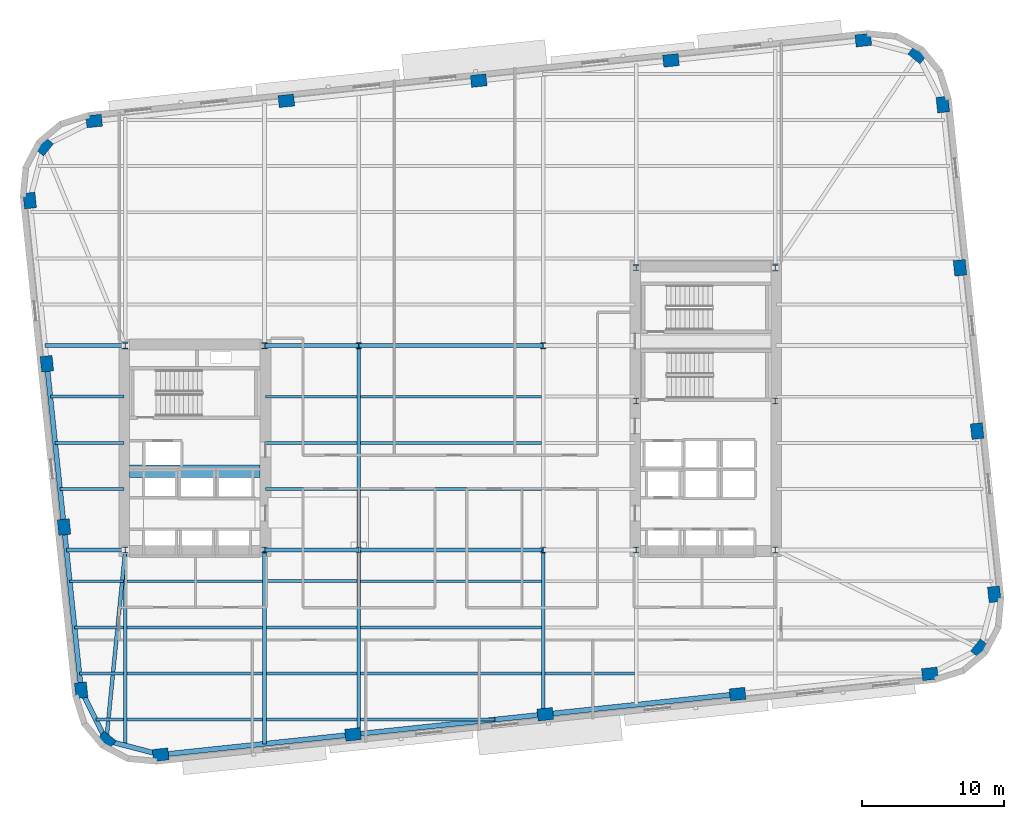
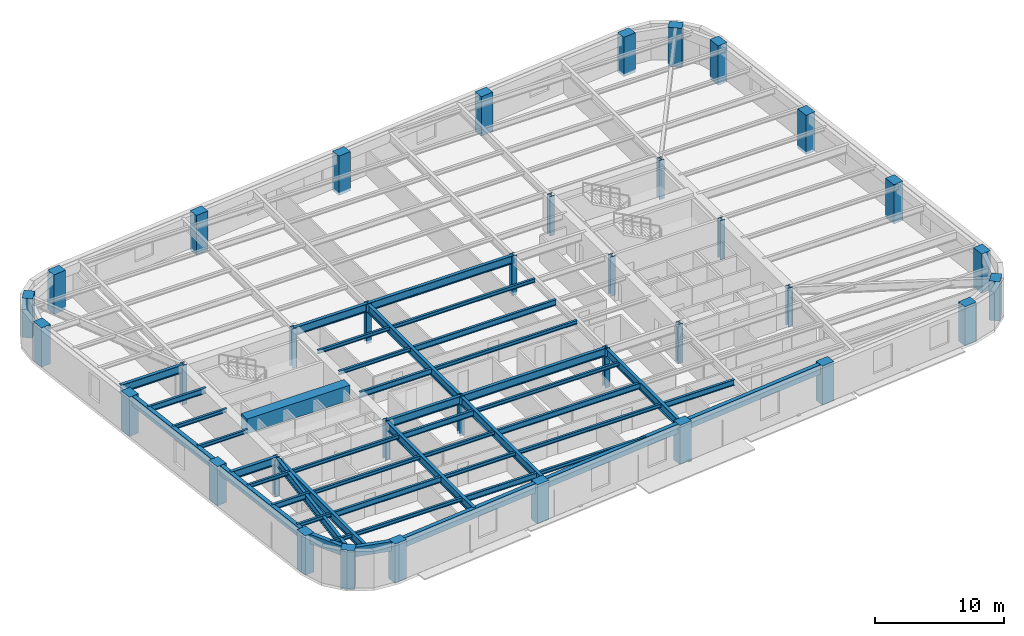
# One storey, part 1 of 11: 46 beams, 36 columns.
"""IFC4 building model written with IfcOpenShell, lengths in metres."""

from ifc_helpers import new_model, si_unit, direction, frame, origin, origin_2d, place, context, subcontext, project, spatial, rectangle, hollow_rectangle, i_section, extrude, material, material_profile, profile_set, type_object, element, save


model = new_model("IFC4")

# Units and contexts
model_context = context("Model", 3, precision=1e-05, world=origin(), true_north=direction((0.0, 1.0)))
body_context = subcontext(model_context, "Body", "Model", "MODEL_VIEW")
ifc_project = project(units=[si_unit("LENGTHUNIT", "METRE"), si_unit("AREAUNIT", "SQUARE_METRE"), si_unit("VOLUMEUNIT", "CUBIC_METRE"), si_unit("PLANEANGLEUNIT", "RADIAN"), si_unit("MASSUNIT", "GRAM", prefix="KILO")], contexts=[model_context])

# Site, building, storey
site_placement = place(None, origin())
site = spatial("IfcSite", under=ifc_project, at=site_placement, CompositionType="ELEMENT")
building_placement = place(site_placement, origin())
building = spatial("IfcBuilding", under=site, at=building_placement, Name="Kolvaren Arena Tower", CompositionType="ELEMENT")
storey_placement = place(building_placement, frame((0.0, 0.0, 122.199951171875)))
storey = spatial("IfcBuildingStorey", under=building, at=storey_placement, Name="L28", CompositionType="ELEMENT", Elevation=122.199951171875)

# Columns
ifc_material_1 = material(Name="Precast concrete C70/85", Category="concrete")
ifc_material_profile_1 = material_profile(ifc_material_1, rectangle(XDim=1.10009765625, YDim=0.85009765625, at=origin_2d()), Name="RC-1100x850")
ifc_profile_set_1 = profile_set([ifc_material_profile_1], Name="Precast concrete C70/85")
column_type_1 = type_object("IfcColumnType", Name="EXCOL-Z2", PredefinedType="COLUMN", material=ifc_profile_set_1)
for number, where, z_axis, x_axis, name in (
    (1, (17.0458984375, 5.024658203125, -0.27001953125), (0.0, 0.0, 1.0), (0.994521895368, 0.104528463268, 0.0), "Exoskeleton Perimeter Column 01 (L28)"),
    (2, (30.59619140625, 6.44873046875, -0.27001953125), (0.0, 0.0, 1.0), (0.994521895368, 0.104528463268, 0.0), "Exoskeleton Perimeter Column 02 (L28)"),
    (3, (44.146728515625, 7.873046875, -0.27001953125), (0.0, 0.0, 1.0), (0.994521895368, 0.104528463268, 0.0), "Exoskeleton Perimeter Column 03 (L28)"),
    (4, (57.697021484375, 9.297119140625, -0.27001953125), (0.0, 0.0, 1.0), (0.994521895368, 0.104528463268, 0.0), "Exoskeleton Perimeter Column 04 (L28)"),
    (5, (71.247314453125, 10.721435546875, -0.27001953125), (0.0, 0.0, 1.0), (0.994521895368, 0.104528463268, 0.0), "Exoskeleton Perimeter Column 05 (L28)"),
    (6, (74.790283203125, 12.49267578125, -0.27001953125), (0.0, 0.0, 1.0), (0.62932039105, 0.777145961457, 0.0), "Exoskeleton Perimeter Column 06 (L28)"),
    (7, (75.786376953125, 16.326416015625, -0.27001953125), (0.0, 0.0, 1.0), (-0.104528463268, 0.994521895368, 0.0), "Exoskeleton Perimeter Column 07 (L28)"),
    (8, (74.577392578125, 27.829833984375, -0.27001953125), (0.0, 0.0, 1.0), (-0.104528463268, 0.994521895368, 0.0), "Exoskeleton Perimeter Column 08 (L28)"),
    (9, (73.368408203125, 39.3330078125, -0.27001953125), (0.0, 0.0, 1.0), (-0.104528463268, 0.994521895368, 0.0), "Exoskeleton Perimeter Column 09 (L28)"),
    (10, (72.1591796875, 50.83642578125, -0.27001953125), (0.0, 0.0, 1.0), (-0.104528463268, 0.994521895368, 0.0), "Exoskeleton Perimeter Column 10 (L28)"),
    (11, (70.387939453125, 54.37939453125, -0.27001953125), (0.0, 0.0, 1.0), (-0.777145961457, 0.62932039105, 0.0), "Exoskeleton Perimeter Column 11 (L28)"),
    (12, (66.55419921875, 55.37548828125, -0.27001953125), (0.0, 0.0, 1.0), (0.994521895368, 0.104528463268, 0.0), "Exoskeleton Perimeter Column 12 (L28)"),
    (13, (53.003662109375, 53.951171875, -0.27001953125), (0.0, 0.0, 1.0), (0.994521895368, 0.104528463268, 0.0), "Exoskeleton Perimeter Column 13 (L28)"),
    (14, (39.453369140625, 52.527099609375, -0.27001953125), (0.0, 0.0, 1.0), (0.994521895368, 0.104528463268, 0.0), "Exoskeleton Perimeter Column 14 (L28)"),
    (15, (25.903076171875, 51.102783203125, -0.27001953125), (0.0, 0.0, 1.0), (0.994521895368, 0.104528463268, 0.0), "Exoskeleton Perimeter Column 15 (L28)"),
    (16, (12.3525390625, 49.6787109375, -0.27001953125), (0.0, 0.0, 1.0), (0.994521895368, 0.104528463268, 0.0), "Exoskeleton Perimeter Column 16 (L28)"),
    (17, (8.8095703125, 47.9072265625, -0.27001953125), (0.0, 0.0, 1.0), (0.62932039105, 0.777145961457, 0.0), "Exoskeleton Perimeter Column 17 (L28)"),
    (18, (7.813720703125, 44.073486328125, -0.27001953125), (0.0, 0.0, 1.0), (-0.104528463268, 0.994521895368, 0.0), "Exoskeleton Perimeter Column 18 (L28)"),
    (19, (9.022705078125, 32.5703125, -0.27001953125), (0.0, 0.0, 1.0), (-0.104528463268, 0.994521895368, 0.0), "Exoskeleton Perimeter Column 19 (L28)"),
    (20, (10.231689453125, 21.06689453125, -0.27001953125), (0.0, 0.0, 1.0), (-0.104528463268, 0.994521895368, 0.0), "Exoskeleton Perimeter Column 20 (L28)"),
    (21, (11.44091796875, 9.5634765625, -0.27001953125), (0.0, 0.0, 1.0), (-0.104528463268, 0.994521895368, 0.0), "Exoskeleton Perimeter Column 21 (L28)"),
    (22, (13.212158203125, 6.0205078125, -0.27001953125), (0.0, 0.0, 1.0), (-0.777145961457, 0.62932039105, 0.0), "Exoskeleton Perimeter Column 22 (L28)"),
):
    element("IfcColumn", number, at=place(storey_placement, frame(where, z_axis=z_axis, x_axis=x_axis)), inside=storey, type_object=column_type_1, Name=name, PredefinedType="COLUMN", context=body_context, shape_type="SweptSolid", body=[
        extrude(rectangle(XDim=1.10009765625, YDim=0.85009765625, at=origin_2d()), origin(), (0.0, 0.0, 1.0), 3.7099609375),
    ])
ifc_material_2 = material(Name="Steel ASTM A913 Grade 65", Category="steel")
ifc_material_profile_2 = material_profile(ifc_material_2, i_section(OverallWidth=0.416015625, OverallDepth=0.446044921875, WebThickness=0.0390625, FlangeThickness=0.062744140625, FilletRadius=0.02001953125, at=origin_2d()), Name="W360x509")
ifc_profile_set_2 = profile_set([ifc_material_profile_2], Name="Steel ASTM A913 Grade 65")
column_type_2 = type_object("IfcColumnType", Name="SCOL-Z2", PredefinedType="COLUMN", material=ifc_profile_set_2)
for number, where, z_axis, x_axis, name in (
    (23, (14.550048828125, 19.449951171875, -0.27001953125), (0.0, 0.0, 1.0), (1.0, 0.0, 0.0), "Core Boundary Column WC-SW (L28)"),
    (24, (24.35009765625, 19.449951171875, -0.27001953125), (0.0, 0.0, 1.0), (1.0, 0.0, 0.0), "Core Boundary Column WC-SE (L28)"),
    (25, (14.550048828125, 33.85009765625, -0.27001953125), (0.0, 0.0, 1.0), (1.0, 0.0, 0.0), "Core Boundary Column WC-NW (L28)"),
    (26, (24.35009765625, 33.85009765625, -0.27001953125), (0.0, 0.0, 1.0), (1.0, 0.0, 0.0), "Core Boundary Column WC-NE (L28)"),
    (27, (50.550048828125, 19.449951171875, -0.27001953125), (0.0, 0.0, 1.0), (1.0, 0.0, 0.0), "Core Boundary Column EC-SW (L28)"),
    (28, (60.35009765625, 19.449951171875, -0.27001953125), (0.0, 0.0, 1.0), (1.0, 0.0, 0.0), "Core Boundary Column EC-SE (L28)"),
    (29, (50.550048828125, 29.949951171875, -0.27001953125), (0.0, 0.0, 1.0), (1.0, 0.0, 0.0), "Core Boundary Column EC-MW (L28)"),
    (30, (60.35009765625, 29.949951171875, -0.27001953125), (0.0, 0.0, 1.0), (1.0, 0.0, 0.0), "Core Boundary Column EC-ME (L28)"),
    (31, (50.550048828125, 39.35009765625, -0.27001953125), (0.0, 0.0, 1.0), (1.0, 0.0, 0.0), "Core Boundary Column EC-NW (L28)"),
    (32, (60.35009765625, 39.35009765625, -0.27001953125), (0.0, 0.0, 1.0), (1.0, 0.0, 0.0), "Core Boundary Column EC-NE (L28)"),
    (33, (31.0, 19.449951171875, -0.27001953125), (0.0, 0.0, 1.0), (1.0, 0.0, 0.0), "Interior Gravity Column TC-SW (L28)"),
    (34, (44.0, 19.449951171875, -0.27001953125), (0.0, 0.0, 1.0), (1.0, 0.0, 0.0), "Interior Gravity Column TC-SE (L28)"),
    (35, (31.0, 33.85009765625, -0.27001953125), (0.0, 0.0, 1.0), (1.0, 0.0, 0.0), "Interior Gravity Column TC-NW (L28)"),
    (36, (44.0, 33.85009765625, -0.27001953125), (0.0, 0.0, 1.0), (1.0, 0.0, 0.0), "Interior Gravity Column TC-NE (L28)"),
):
    element("IfcColumn", number, at=place(storey_placement, frame(where, z_axis=z_axis, x_axis=x_axis)), inside=storey, type_object=column_type_2, Name=name, PredefinedType="COLUMN", context=body_context, shape_type="SweptSolid", body=[
        extrude(i_section(OverallWidth=0.416015625, OverallDepth=0.446044921875, WebThickness=0.0390625, FlangeThickness=0.062744140625, FilletRadius=0.02001953125, at=origin_2d()), origin(), (0.0, 0.0, 1.0), 3.7099609375),
    ])

# Beams
ifc_material_3 = material(Name="Steel CSA G40.21 350W", Category="steel")
ifc_material_profile_3 = material_profile(ifc_material_3, i_section(OverallWidth=0.2119140625, OverallDepth=0.54296875, WebThickness=0.01318359375, FlangeThickness=0.0244140625, FilletRadius=0.013916015625, at=origin_2d()), Name="W530x150")
ifc_profile_set_3 = profile_set([ifc_material_profile_3], Name="Steel CSA G40.21 350W")
beam_type_1 = type_object("IfcBeamType", Name="BEAM-F1", PredefinedType="BEAM", material=ifc_profile_set_3)
beam_1_placement = place(storey_placement, frame((24.485107421875, 7.5, 3.16845703125), z_axis=(1.0, 0.0, 0.0), x_axis=(0.0, 1.0, 0.0)))
element("IfcBeam", 37, at=beam_1_placement, inside=storey, type_object=beam_type_1, Name="Composite Floor Beam (L28)", PredefinedType="BEAM", context=body_context, shape_type="SweptSolid", body=[
    extrude(i_section(OverallWidth=0.2119140625, OverallDepth=0.54296875, WebThickness=0.01318359375, FlangeThickness=0.0244140625, FilletRadius=0.013916015625, at=origin_2d()), origin(), (0.0, 0.0, 1.0), 6.3798828125),
])
beam_2_placement = place(storey_placement, frame((14.68505859375, 10.75, 3.16845703125), z_axis=(1.0, 0.0, 0.0), x_axis=(0.0, 1.0, 0.0)))
element("IfcBeam", 38, at=beam_2_placement, inside=storey, type_object=beam_type_1, Name="Composite Floor Beam (L28)", PredefinedType="BEAM", context=body_context, shape_type="SweptSolid", body=[
    extrude(i_section(OverallWidth=0.2119140625, OverallDepth=0.54296875, WebThickness=0.01318359375, FlangeThickness=0.0244140625, FilletRadius=0.013916015625, at=origin_2d()), origin(), (0.0, 0.0, 1.0), 9.530029296875),
])
beam_3_placement = place(storey_placement, frame((44.135009765625, 10.75, 3.16845703125), z_axis=(1.0, 0.0, 0.0), x_axis=(0.0, 1.0, 0.0)))
element("IfcBeam", 39, at=beam_3_placement, inside=storey, type_object=beam_type_1, Name="Composite Floor Beam (L28)", PredefinedType="BEAM", context=body_context, shape_type="SweptSolid", body=[
    extrude(i_section(OverallWidth=0.2119140625, OverallDepth=0.54296875, WebThickness=0.01318359375, FlangeThickness=0.0244140625, FilletRadius=0.013916015625, at=origin_2d()), origin(), (0.0, 0.0, 1.0), 6.280029296875),
])
beam_4_placement = place(storey_placement, frame((10.974609375, 14.0, 3.16845703125), z_axis=(1.0, 0.0, 0.0), x_axis=(0.0, 1.0, 0.0)))
element("IfcBeam", 40, at=beam_4_placement, inside=storey, type_object=beam_type_1, Name="Composite Floor Beam (L28)", PredefinedType="BEAM", context=body_context, shape_type="SweptSolid", body=[
    extrude(i_section(OverallWidth=0.2119140625, OverallDepth=0.54296875, WebThickness=0.01318359375, FlangeThickness=0.0244140625, FilletRadius=0.013916015625, at=origin_2d()), origin(), (0.0, 0.0, 1.0), 3.4404296875),
])
beam_5_placement = place(storey_placement, frame((31.135009765625, 14.0, 3.16845703125), z_axis=(1.0, 0.0, 0.0), x_axis=(0.0, 1.0, 0.0)))
element("IfcBeam", 41, at=beam_5_placement, inside=storey, type_object=beam_type_1, Name="Composite Floor Beam (L28)", PredefinedType="BEAM", context=body_context, shape_type="SweptSolid", body=[
    extrude(i_section(OverallWidth=0.2119140625, OverallDepth=0.54296875, WebThickness=0.01318359375, FlangeThickness=0.0244140625, FilletRadius=0.013916015625, at=origin_2d()), origin(), (0.0, 0.0, 1.0), 12.72998046875),
])
beam_6_placement = place(storey_placement, frame((24.485107421875, 17.25, 3.16845703125), z_axis=(1.0, 0.0, 0.0), x_axis=(0.0, 1.0, 0.0)))
element("IfcBeam", 42, at=beam_6_placement, inside=storey, type_object=beam_type_1, Name="Composite Floor Beam (L28)", PredefinedType="BEAM", context=body_context, shape_type="SweptSolid", body=[
    extrude(i_section(OverallWidth=0.2119140625, OverallDepth=0.54296875, WebThickness=0.01318359375, FlangeThickness=0.0244140625, FilletRadius=0.013916015625, at=origin_2d()), origin(), (0.0, 0.0, 1.0), 6.3798828125),
])
beam_7_placement = place(storey_placement, frame((24.445068359375, 23.75, 3.16845703125), z_axis=(1.0, 0.0, 0.0), x_axis=(0.0, 1.0, 0.0)))
element("IfcBeam", 43, at=beam_7_placement, inside=storey, type_object=beam_type_1, Name="Composite Floor Beam (L28)", PredefinedType="BEAM", context=body_context, shape_type="SweptSolid", body=[
    extrude(i_section(OverallWidth=0.2119140625, OverallDepth=0.54296875, WebThickness=0.01318359375, FlangeThickness=0.0244140625, FilletRadius=0.013916015625, at=origin_2d()), origin(), (0.0, 0.0, 1.0), 6.419921875),
])
beam_8_placement = place(storey_placement, frame((31.135009765625, 27.0, 3.16845703125), z_axis=(1.0, 0.0, 0.0), x_axis=(0.0, 1.0, 0.0)))
element("IfcBeam", 44, at=beam_8_placement, inside=storey, type_object=beam_type_1, Name="Composite Floor Beam (L28)", PredefinedType="BEAM", context=body_context, shape_type="SweptSolid", body=[
    extrude(i_section(OverallWidth=0.2119140625, OverallDepth=0.54296875, WebThickness=0.01318359375, FlangeThickness=0.0244140625, FilletRadius=0.013916015625, at=origin_2d()), origin(), (0.0, 0.0, 1.0), 12.72998046875),
])
beam_9_placement = place(storey_placement, frame((9.2666015625, 30.25, 3.16845703125), z_axis=(1.0, 0.0, 0.0), x_axis=(0.0, 1.0, 0.0)))
element("IfcBeam", 45, at=beam_9_placement, inside=storey, type_object=beam_type_1, Name="Composite Floor Beam (L28)", PredefinedType="BEAM", context=body_context, shape_type="SweptSolid", body=[
    extrude(i_section(OverallWidth=0.2119140625, OverallDepth=0.54296875, WebThickness=0.01318359375, FlangeThickness=0.0244140625, FilletRadius=0.013916015625, at=origin_2d()), origin(), (0.0, 0.0, 1.0), 5.1884765625),
])
ifc_material_4 = material(Name="Concrete 75 MPa", Category="concrete")
ifc_material_profile_4 = material_profile(ifc_material_4, rectangle(XDim=0.89990234375, YDim=1.39990234375, at=origin_2d()), Name="RC-900x1400")
ifc_profile_set_4 = profile_set([ifc_material_profile_4], Name="Concrete 75 MPa")
beam_type_2 = type_object("IfcBeamType", Name="CB-CORE-1", PredefinedType="BEAM", material=ifc_profile_set_4)
beam_10_placement = place(storey_placement, frame((14.85009765625, 25.0, 3.010009765625), z_axis=(1.0, 0.0, 0.0), x_axis=(0.0, 1.0, 0.0)))
element("IfcBeam", 46, at=beam_10_placement, inside=storey, type_object=beam_type_2, Name="West Core Coupling Beam (L28)", PredefinedType="BEAM", context=body_context, shape_type="SweptSolid", body=[
    extrude(rectangle(XDim=0.89990234375, YDim=1.39990234375, at=origin_2d()), origin(), (0.0, 0.0, 1.0), 9.199951171875),
])
ifc_material_profile_5 = material_profile(ifc_material_3, i_section(OverallWidth=0.27001953125, OverallDepth=0.77294921875, WebThickness=0.019287109375, FlangeThickness=0.033447265625, FilletRadius=0.01806640625, at=origin_2d()), Name="W760x257")
ifc_profile_set_5 = profile_set([ifc_material_profile_5], Name="Steel CSA G40.21 350W")
beam_type_3 = type_object("IfcBeamType", Name="GIRD-T1", PredefinedType="BEAM", material=ifc_profile_set_5)
beam_11_placement = place(storey_placement, frame((13.212158203125, 6.0205078125, 3.053466796875), z_axis=(0.099132957575, 0.995074196592, 0.0), x_axis=(-0.995074196592, 0.099132957575, 0.0)))
element("IfcBeam", 47, at=beam_11_placement, inside=storey, type_object=beam_type_3, Name="Corner Diagonal Tie Girder (L28)", PredefinedType="BEAM", context=body_context, shape_type="SweptSolid", body=[
    extrude(i_section(OverallWidth=0.27001953125, OverallDepth=0.77294921875, WebThickness=0.019287109375, FlangeThickness=0.033447265625, FilletRadius=0.01806640625, at=origin_2d()), origin(), (0.0, 0.0, 1.0), 13.495849609375),
])
beam_12_placement = place(storey_placement, frame((10.401611328125, 19.449951171875, 3.053466796875), z_axis=(1.0, 0.0, 0.0), x_axis=(0.0, 1.0, 0.0)))
element("IfcBeam", 48, at=beam_12_placement, inside=storey, type_object=beam_type_3, Name="Primary Floor Girder (L28)", PredefinedType="BEAM", context=body_context, shape_type="SweptSolid", body=[
    extrude(i_section(OverallWidth=0.27001953125, OverallDepth=0.77294921875, WebThickness=0.019287109375, FlangeThickness=0.033447265625, FilletRadius=0.01806640625, at=origin_2d()), origin(), (0.0, 0.0, 1.0), 4.093505859375),
])
beam_13_placement = place(storey_placement, frame((24.405029296875, 19.449951171875, 3.053466796875), z_axis=(1.0, 0.0, 0.0), x_axis=(0.0, 1.0, 0.0)))
element("IfcBeam", 49, at=beam_13_placement, inside=storey, type_object=beam_type_3, Name="Primary Floor Girder (L28)", PredefinedType="BEAM", context=body_context, shape_type="SweptSolid", body=[
    extrude(i_section(OverallWidth=0.27001953125, OverallDepth=0.77294921875, WebThickness=0.019287109375, FlangeThickness=0.033447265625, FilletRadius=0.01806640625, at=origin_2d()), origin(), (0.0, 0.0, 1.0), 6.594970703125),
])
beam_14_placement = place(storey_placement, frame((31.0, 19.449951171875, 3.053466796875), z_axis=(1.0, 0.0, 0.0), x_axis=(0.0, 1.0, 0.0)))
element("IfcBeam", 50, at=beam_14_placement, inside=storey, type_object=beam_type_3, Name="Primary Floor Girder (L28)", PredefinedType="BEAM", context=body_context, shape_type="SweptSolid", body=[
    extrude(i_section(OverallWidth=0.27001953125, OverallDepth=0.77294921875, WebThickness=0.019287109375, FlangeThickness=0.033447265625, FilletRadius=0.01806640625, at=origin_2d()), origin(), (0.0, 0.0, 1.0), 13.0),
])
beam_15_placement = place(storey_placement, frame((8.88818359375, 33.85009765625, 3.053466796875), z_axis=(1.0, 0.0, 0.0), x_axis=(0.0, 1.0, 0.0)))
element("IfcBeam", 51, at=beam_15_placement, inside=storey, type_object=beam_type_3, Name="Primary Floor Girder (L28)", PredefinedType="BEAM", context=body_context, shape_type="SweptSolid", body=[
    extrude(i_section(OverallWidth=0.27001953125, OverallDepth=0.77294921875, WebThickness=0.019287109375, FlangeThickness=0.033447265625, FilletRadius=0.01806640625, at=origin_2d()), origin(), (0.0, 0.0, 1.0), 5.60693359375),
])
beam_16_placement = place(storey_placement, frame((24.405029296875, 33.85009765625, 3.053466796875), z_axis=(1.0, 0.0, 0.0), x_axis=(0.0, 1.0, 0.0)))
element("IfcBeam", 52, at=beam_16_placement, inside=storey, type_object=beam_type_3, Name="Primary Floor Girder (L28)", PredefinedType="BEAM", context=body_context, shape_type="SweptSolid", body=[
    extrude(i_section(OverallWidth=0.27001953125, OverallDepth=0.77294921875, WebThickness=0.019287109375, FlangeThickness=0.033447265625, FilletRadius=0.01806640625, at=origin_2d()), origin(), (0.0, 0.0, 1.0), 6.594970703125),
])
beam_17_placement = place(storey_placement, frame((31.0, 33.85009765625, 3.053466796875), z_axis=(1.0, 0.0, 0.0), x_axis=(0.0, 1.0, 0.0)))
element("IfcBeam", 53, at=beam_17_placement, inside=storey, type_object=beam_type_3, Name="Primary Floor Girder (L28)", PredefinedType="BEAM", context=body_context, shape_type="SweptSolid", body=[
    extrude(i_section(OverallWidth=0.27001953125, OverallDepth=0.77294921875, WebThickness=0.019287109375, FlangeThickness=0.033447265625, FilletRadius=0.01806640625, at=origin_2d()), origin(), (0.0, 0.0, 1.0), 13.0),
])
beam_18_placement = place(storey_placement, frame((14.550048828125, 5.673095703125, 3.053466796875), z_axis=(0.0, 1.0, 0.0), x_axis=(-1.0, 0.0, 0.0)))
element("IfcBeam", 54, at=beam_18_placement, inside=storey, type_object=beam_type_3, Name="Primary Floor Girder (L28)", PredefinedType="BEAM", context=body_context, shape_type="SweptSolid", body=[
    extrude(i_section(OverallWidth=0.27001953125, OverallDepth=0.77294921875, WebThickness=0.019287109375, FlangeThickness=0.033447265625, FilletRadius=0.01806640625, at=origin_2d()), origin(), (0.0, 0.0, 1.0), 13.721923828125),
])
beam_19_placement = place(storey_placement, frame((24.35009765625, 5.792236328125, 3.053466796875), z_axis=(0.0, 1.0, 0.0), x_axis=(-1.0, 0.0, 0.0)))
element("IfcBeam", 55, at=beam_19_placement, inside=storey, type_object=beam_type_3, Name="Primary Floor Girder (L28)", PredefinedType="BEAM", context=body_context, shape_type="SweptSolid", body=[
    extrude(i_section(OverallWidth=0.27001953125, OverallDepth=0.77294921875, WebThickness=0.019287109375, FlangeThickness=0.033447265625, FilletRadius=0.01806640625, at=origin_2d()), origin(), (0.0, 0.0, 1.0), 13.602783203125),
])
beam_20_placement = place(storey_placement, frame((31.0, 6.4912109375, 3.053466796875), z_axis=(0.0, 1.0, 0.0), x_axis=(-1.0, 0.0, 0.0)))
element("IfcBeam", 56, at=beam_20_placement, inside=storey, type_object=beam_type_3, Name="Primary Floor Girder (L28)", PredefinedType="BEAM", context=body_context, shape_type="SweptSolid", body=[
    extrude(i_section(OverallWidth=0.27001953125, OverallDepth=0.77294921875, WebThickness=0.019287109375, FlangeThickness=0.033447265625, FilletRadius=0.01806640625, at=origin_2d()), origin(), (0.0, 0.0, 1.0), 12.958740234375),
])
beam_21_placement = place(storey_placement, frame((31.0, 19.449951171875, 3.053466796875), z_axis=(0.0, 1.0, 0.0), x_axis=(-1.0, 0.0, 0.0)))
element("IfcBeam", 57, at=beam_21_placement, inside=storey, type_object=beam_type_3, Name="Primary Floor Girder (L28)", PredefinedType="BEAM", context=body_context, shape_type="SweptSolid", body=[
    extrude(i_section(OverallWidth=0.27001953125, OverallDepth=0.77294921875, WebThickness=0.019287109375, FlangeThickness=0.033447265625, FilletRadius=0.01806640625, at=origin_2d()), origin(), (0.0, 0.0, 1.0), 14.400146484375),
])
beam_22_placement = place(storey_placement, frame((44.0, 7.857666015625, 3.053466796875), z_axis=(0.0, 1.0, 0.0), x_axis=(-1.0, 0.0, 0.0)))
element("IfcBeam", 58, at=beam_22_placement, inside=storey, type_object=beam_type_3, Name="Primary Floor Girder (L28)", PredefinedType="BEAM", context=body_context, shape_type="SweptSolid", body=[
    extrude(i_section(OverallWidth=0.27001953125, OverallDepth=0.77294921875, WebThickness=0.019287109375, FlangeThickness=0.033447265625, FilletRadius=0.01806640625, at=origin_2d()), origin(), (0.0, 0.0, 1.0), 11.59228515625),
])
ifc_material_profile_6 = material_profile(ifc_material_3, i_section(OverallWidth=0.202880859375, OverallDepth=0.346923828125, WebThickness=0.0078125, FlangeThickness=0.013427734375, FilletRadius=0.010986328125, at=origin_2d()), Name="W360x64")
ifc_profile_set_6 = profile_set([ifc_material_profile_6], Name="Steel CSA G40.21 350W")
beam_type_4 = type_object("IfcBeamType", Name="JOIST-01", PredefinedType="JOIST", material=ifc_profile_set_6)
beam_23_placement = place(storey_placement, frame((12.472412109375, 7.5, 3.2666015625), z_axis=(1.0, 0.0, 0.0), x_axis=(0.0, 1.0, 0.0)))
element("IfcBeam", 59, at=beam_23_placement, inside=storey, type_object=beam_type_4, Name="Composite Floor Joist (L28)", PredefinedType="JOIST", context=body_context, shape_type="SweptSolid", body=[
    extrude(i_section(OverallWidth=0.202880859375, OverallDepth=0.346923828125, WebThickness=0.0078125, FlangeThickness=0.013427734375, FilletRadius=0.010986328125, at=origin_2d()), origin(), (0.0, 0.0, 1.0), 1.942626953125),
])
beam_24_placement = place(storey_placement, frame((14.68505859375, 7.5, 3.2666015625), z_axis=(1.0, 0.0, 0.0), x_axis=(0.0, 1.0, 0.0)))
element("IfcBeam", 60, at=beam_24_placement, inside=storey, type_object=beam_type_4, Name="Composite Floor Joist (L28)", PredefinedType="JOIST", context=body_context, shape_type="SweptSolid", body=[
    extrude(i_section(OverallWidth=0.202880859375, OverallDepth=0.346923828125, WebThickness=0.0078125, FlangeThickness=0.013427734375, FilletRadius=0.010986328125, at=origin_2d()), origin(), (0.0, 0.0, 1.0), 9.530029296875),
])
beam_25_placement = place(storey_placement, frame((31.135009765625, 7.5, 3.2666015625), z_axis=(1.0, 0.0, 0.0), x_axis=(0.0, 1.0, 0.0)))
element("IfcBeam", 61, at=beam_25_placement, inside=storey, type_object=beam_type_4, Name="Composite Floor Joist (L28)", PredefinedType="JOIST", context=body_context, shape_type="SweptSolid", body=[
    extrude(i_section(OverallWidth=0.202880859375, OverallDepth=0.346923828125, WebThickness=0.0078125, FlangeThickness=0.013427734375, FilletRadius=0.010986328125, at=origin_2d()), origin(), (0.0, 0.0, 1.0), 9.462890625),
])
beam_26_placement = place(storey_placement, frame((11.316162109375, 10.75, 3.2666015625), z_axis=(1.0, 0.0, 0.0), x_axis=(0.0, 1.0, 0.0)))
element("IfcBeam", 62, at=beam_26_placement, inside=storey, type_object=beam_type_4, Name="Composite Floor Joist (L28)", PredefinedType="JOIST", context=body_context, shape_type="SweptSolid", body=[
    extrude(i_section(OverallWidth=0.202880859375, OverallDepth=0.346923828125, WebThickness=0.0078125, FlangeThickness=0.013427734375, FilletRadius=0.010986328125, at=origin_2d()), origin(), (0.0, 0.0, 1.0), 3.098876953125),
])
beam_27_placement = place(storey_placement, frame((24.485107421875, 10.75, 3.2666015625), z_axis=(1.0, 0.0, 0.0), x_axis=(0.0, 1.0, 0.0)))
element("IfcBeam", 63, at=beam_27_placement, inside=storey, type_object=beam_type_4, Name="Composite Floor Joist (L28)", PredefinedType="JOIST", context=body_context, shape_type="SweptSolid", body=[
    extrude(i_section(OverallWidth=0.202880859375, OverallDepth=0.346923828125, WebThickness=0.0078125, FlangeThickness=0.013427734375, FilletRadius=0.010986328125, at=origin_2d()), origin(), (0.0, 0.0, 1.0), 6.3798828125),
])
beam_28_placement = place(storey_placement, frame((31.135009765625, 10.75, 3.2666015625), z_axis=(1.0, 0.0, 0.0), x_axis=(0.0, 1.0, 0.0)))
element("IfcBeam", 64, at=beam_28_placement, inside=storey, type_object=beam_type_4, Name="Composite Floor Joist (L28)", PredefinedType="JOIST", context=body_context, shape_type="SweptSolid", body=[
    extrude(i_section(OverallWidth=0.202880859375, OverallDepth=0.346923828125, WebThickness=0.0078125, FlangeThickness=0.013427734375, FilletRadius=0.010986328125, at=origin_2d()), origin(), (0.0, 0.0, 1.0), 12.72998046875),
])
beam_29_placement = place(storey_placement, frame((14.68505859375, 14.0, 3.2666015625), z_axis=(1.0, 0.0, 0.0), x_axis=(0.0, 1.0, 0.0)))
element("IfcBeam", 65, at=beam_29_placement, inside=storey, type_object=beam_type_4, Name="Composite Floor Joist (L28)", PredefinedType="JOIST", context=body_context, shape_type="SweptSolid", body=[
    extrude(i_section(OverallWidth=0.202880859375, OverallDepth=0.346923828125, WebThickness=0.0078125, FlangeThickness=0.013427734375, FilletRadius=0.010986328125, at=origin_2d()), origin(), (0.0, 0.0, 1.0), 9.530029296875),
])
beam_30_placement = place(storey_placement, frame((24.485107421875, 14.0, 3.2666015625), z_axis=(1.0, 0.0, 0.0), x_axis=(0.0, 1.0, 0.0)))
element("IfcBeam", 66, at=beam_30_placement, inside=storey, type_object=beam_type_4, Name="Composite Floor Joist (L28)", PredefinedType="JOIST", context=body_context, shape_type="SweptSolid", body=[
    extrude(i_section(OverallWidth=0.202880859375, OverallDepth=0.346923828125, WebThickness=0.0078125, FlangeThickness=0.013427734375, FilletRadius=0.010986328125, at=origin_2d()), origin(), (0.0, 0.0, 1.0), 6.3798828125),
])
beam_31_placement = place(storey_placement, frame((10.6328125, 17.25, 3.2666015625), z_axis=(1.0, 0.0, 0.0), x_axis=(0.0, 1.0, 0.0)))
element("IfcBeam", 67, at=beam_31_placement, inside=storey, type_object=beam_type_4, Name="Composite Floor Joist (L28)", PredefinedType="JOIST", context=body_context, shape_type="SweptSolid", body=[
    extrude(i_section(OverallWidth=0.202880859375, OverallDepth=0.346923828125, WebThickness=0.0078125, FlangeThickness=0.013427734375, FilletRadius=0.010986328125, at=origin_2d()), origin(), (0.0, 0.0, 1.0), 3.7822265625),
])
beam_32_placement = place(storey_placement, frame((14.68505859375, 17.25, 3.2666015625), z_axis=(1.0, 0.0, 0.0), x_axis=(0.0, 1.0, 0.0)))
element("IfcBeam", 68, at=beam_32_placement, inside=storey, type_object=beam_type_4, Name="Composite Floor Joist (L28)", PredefinedType="JOIST", context=body_context, shape_type="SweptSolid", body=[
    extrude(i_section(OverallWidth=0.202880859375, OverallDepth=0.346923828125, WebThickness=0.0078125, FlangeThickness=0.013427734375, FilletRadius=0.010986328125, at=origin_2d()), origin(), (0.0, 0.0, 1.0), 9.530029296875),
])
beam_33_placement = place(storey_placement, frame((31.135009765625, 17.25, 3.2666015625), z_axis=(1.0, 0.0, 0.0), x_axis=(0.0, 1.0, 0.0)))
element("IfcBeam", 69, at=beam_33_placement, inside=storey, type_object=beam_type_4, Name="Composite Floor Joist (L28)", PredefinedType="JOIST", context=body_context, shape_type="SweptSolid", body=[
    extrude(i_section(OverallWidth=0.202880859375, OverallDepth=0.346923828125, WebThickness=0.0078125, FlangeThickness=0.013427734375, FilletRadius=0.010986328125, at=origin_2d()), origin(), (0.0, 0.0, 1.0), 12.72998046875),
])
beam_34_placement = place(storey_placement, frame((9.94970703125, 23.75, 3.2666015625), z_axis=(1.0, 0.0, 0.0), x_axis=(0.0, 1.0, 0.0)))
element("IfcBeam", 70, at=beam_34_placement, inside=storey, type_object=beam_type_4, Name="Composite Floor Joist (L28)", PredefinedType="JOIST", context=body_context, shape_type="SweptSolid", body=[
    extrude(i_section(OverallWidth=0.202880859375, OverallDepth=0.346923828125, WebThickness=0.0078125, FlangeThickness=0.013427734375, FilletRadius=0.010986328125, at=origin_2d()), origin(), (0.0, 0.0, 1.0), 4.50537109375),
])
beam_35_placement = place(storey_placement, frame((31.135009765625, 23.75, 3.2666015625), z_axis=(1.0, 0.0, 0.0), x_axis=(0.0, 1.0, 0.0)))
element("IfcBeam", 71, at=beam_35_placement, inside=storey, type_object=beam_type_4, Name="Composite Floor Joist (L28)", PredefinedType="JOIST", context=body_context, shape_type="SweptSolid", body=[
    extrude(i_section(OverallWidth=0.202880859375, OverallDepth=0.346923828125, WebThickness=0.0078125, FlangeThickness=0.013427734375, FilletRadius=0.010986328125, at=origin_2d()), origin(), (0.0, 0.0, 1.0), 12.72998046875),
])
beam_36_placement = place(storey_placement, frame((9.608154296875, 27.0, 3.2666015625), z_axis=(1.0, 0.0, 0.0), x_axis=(0.0, 1.0, 0.0)))
element("IfcBeam", 72, at=beam_36_placement, inside=storey, type_object=beam_type_4, Name="Composite Floor Joist (L28)", PredefinedType="JOIST", context=body_context, shape_type="SweptSolid", body=[
    extrude(i_section(OverallWidth=0.202880859375, OverallDepth=0.346923828125, WebThickness=0.0078125, FlangeThickness=0.013427734375, FilletRadius=0.010986328125, at=origin_2d()), origin(), (0.0, 0.0, 1.0), 4.846923828125),
])
for number, where, z_axis, x_axis, name in (
    (73, (24.445068359375, 27.0, 3.2666015625), (1.0, 0.0, 0.0), (0.0, 1.0, 0.0), "Composite Floor Joist (L28)"),
    (74, (24.445068359375, 30.25, 3.2666015625), (1.0, 0.0, 0.0), (0.0, 1.0, 0.0), "Composite Floor Joist (L28)"),
):
    element("IfcBeam", number, at=place(storey_placement, frame(where, z_axis=z_axis, x_axis=x_axis)), inside=storey, type_object=beam_type_4, Name=name, PredefinedType="JOIST", context=body_context, shape_type="SweptSolid", body=[
        extrude(i_section(OverallWidth=0.202880859375, OverallDepth=0.346923828125, WebThickness=0.0078125, FlangeThickness=0.013427734375, FilletRadius=0.010986328125, at=origin_2d()), origin(), (0.0, 0.0, 1.0), 6.419921875),
    ])
beam_37_placement = place(storey_placement, frame((31.135009765625, 30.25, 3.2666015625), z_axis=(1.0, 0.0, 0.0), x_axis=(0.0, 1.0, 0.0)))
element("IfcBeam", 75, at=beam_37_placement, inside=storey, type_object=beam_type_4, Name="Composite Floor Joist (L28)", PredefinedType="JOIST", context=body_context, shape_type="SweptSolid", body=[
    extrude(i_section(OverallWidth=0.202880859375, OverallDepth=0.346923828125, WebThickness=0.0078125, FlangeThickness=0.013427734375, FilletRadius=0.010986328125, at=origin_2d()), origin(), (0.0, 0.0, 1.0), 12.72998046875),
])
ifc_material_5 = material(Name="Steel CSA G40.21 350WT", Category="steel")
ifc_material_profile_7 = material_profile(ifc_material_5, hollow_rectangle(XDim=0.35009765625, YDim=0.89990234375, WallThickness=0.02001953125, at=origin_2d()), Name="HSS 900x350x20")
ifc_profile_set_7 = profile_set([ifc_material_profile_7], Name="Steel CSA G40.21 350WT")
beam_type_5 = type_object("IfcBeamType", Name="SPAND-01", PredefinedType="SPANDREL", material=ifc_profile_set_7)
beam_38_placement = place(storey_placement, frame((17.0458984375, 5.024658203125, 2.989990234375), z_axis=(0.994522817887, 0.104519685718, 0.0), x_axis=(-0.104519685718, 0.994522817887, 0.0)))
element("IfcBeam", 76, at=beam_38_placement, inside=storey, type_object=beam_type_5, Name="Perimeter Spandrel Beam (L28)", PredefinedType="SPANDREL", context=body_context, shape_type="SweptSolid", body=[
    extrude(hollow_rectangle(XDim=0.35009765625, YDim=0.89990234375, WallThickness=0.02001953125, at=origin_2d()), origin(), (0.0, 0.0, 1.0), 13.625),
])
beam_39_placement = place(storey_placement, frame((30.59619140625, 6.44873046875, 2.989990234375), z_axis=(0.994521150946, 0.104535545729, 0.0), x_axis=(-0.104535545729, 0.994521150946, 0.0)))
element("IfcBeam", 77, at=beam_39_placement, inside=storey, type_object=beam_type_5, Name="Perimeter Spandrel Beam (L28)", PredefinedType="SPANDREL", context=body_context, shape_type="SweptSolid", body=[
    extrude(hollow_rectangle(XDim=0.35009765625, YDim=0.89990234375, WallThickness=0.02001953125, at=origin_2d()), origin(), (0.0, 0.0, 1.0), 13.625244140625),
])
beam_40_placement = place(storey_placement, frame((44.146728515625, 7.873046875, 2.989990234375), z_axis=(0.994522817887, 0.104519685718, 0.0), x_axis=(-0.104519685718, 0.994522817887, 0.0)))
element("IfcBeam", 78, at=beam_40_placement, inside=storey, type_object=beam_type_5, Name="Perimeter Spandrel Beam (L28)", PredefinedType="SPANDREL", context=body_context, shape_type="SweptSolid", body=[
    extrude(hollow_rectangle(XDim=0.35009765625, YDim=0.89990234375, WallThickness=0.02001953125, at=origin_2d()), origin(), (0.0, 0.0, 1.0), 13.625),
])
for number, where, z_axis, x_axis, name in (
    (79, (9.022705078125, 32.5703125, 2.989990234375), (0.104522171998, -0.994522556587, 0.0), (0.994522556587, 0.104522171998, 0.0), "Perimeter Spandrel Beam (L28)"),
    (80, (10.231689453125, 21.06689453125, 2.989990234375), (0.104543048399, -0.994520362301, 0.0), (0.994520362301, 0.104543048399, 0.0), "Perimeter Spandrel Beam (L28)"),
):
    element("IfcBeam", number, at=place(storey_placement, frame(where, z_axis=z_axis, x_axis=x_axis)), inside=storey, type_object=beam_type_5, Name=name, PredefinedType="SPANDREL", context=body_context, shape_type="SweptSolid", body=[
        extrude(hollow_rectangle(XDim=0.35009765625, YDim=0.89990234375, WallThickness=0.02001953125, at=origin_2d()), origin(), (0.0, 0.0, 1.0), 11.56689453125),
    ])
for number, where, z_axis, x_axis, name in (
    (81, (11.44091796875, 9.5634765625, 2.989990234375), (0.44716428656, -0.894451843771, 0.0), (0.894451843771, 0.44716428656, 0.0), "Perimeter Spandrel Beam (L28)"),
    (82, (13.212158203125, 6.0205078125, 2.989990234375), (0.96787922294, -0.25141561169, 0.0), (0.25141561169, 0.96787922294, 0.0), "Perimeter Spandrel Beam (L28)"),
):
    element("IfcBeam", number, at=place(storey_placement, frame(where, z_axis=z_axis, x_axis=x_axis)), inside=storey, type_object=beam_type_5, Name=name, PredefinedType="SPANDREL", context=body_context, shape_type="SweptSolid", body=[
        extrude(hollow_rectangle(XDim=0.35009765625, YDim=0.89990234375, WallThickness=0.02001953125, at=origin_2d()), origin(), (0.0, 0.0, 1.0), 3.9609375),
    ])

save(model, "model.ifc")
